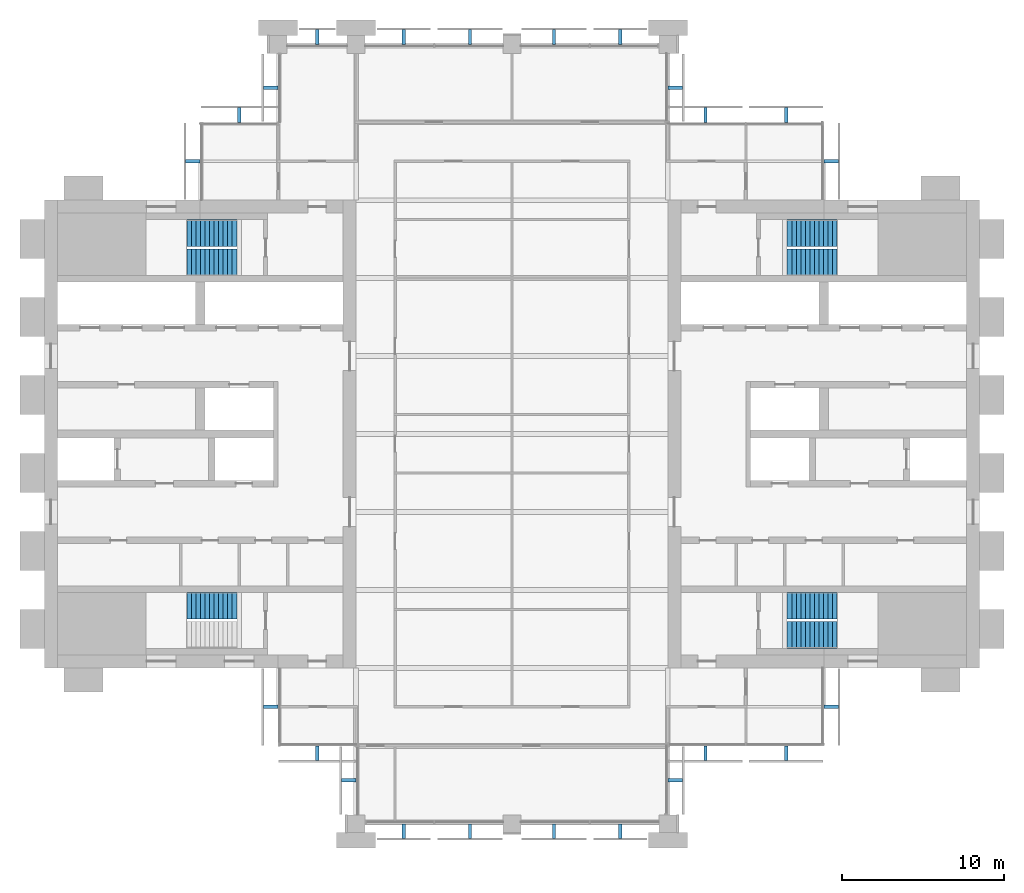
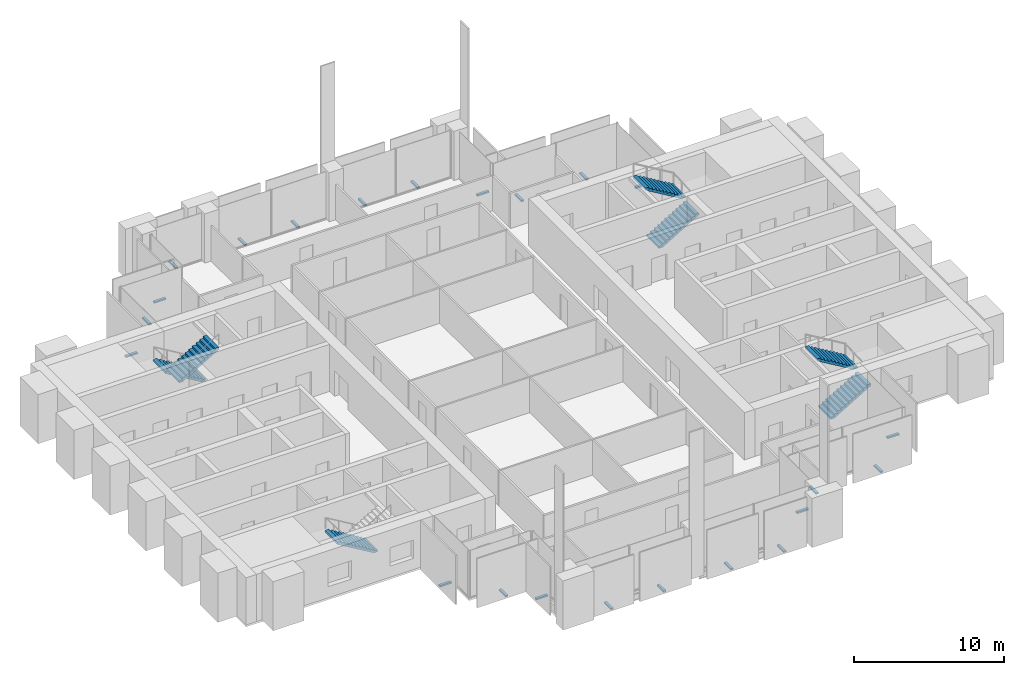
# One storey, part 12 of 13: 23 discrete accessories, 7 stair flights, 4 elements without a shape of their own.
"""IFC4 building model written with IfcOpenShell, lengths in metres."""

from ifc_helpers import new_model, si_unit, direction, frame, origin, origin_2d, place, context, subcontext, project, spatial, polyline, rectangle, outline, extrude, material, type_object, element, aggregate, save


model = new_model("IFC4")

# Units and contexts
model_context = context("Model", 3, precision=1e-05, world=origin(), true_north=direction((0.0, 1.0)))
body_context = subcontext(model_context, "Body", "Model", "MODEL_VIEW")
ifc_project = project(units=[si_unit("LENGTHUNIT", "METRE"), si_unit("AREAUNIT", "SQUARE_METRE"), si_unit("VOLUMEUNIT", "CUBIC_METRE"), si_unit("PLANEANGLEUNIT", "RADIAN"), si_unit("MASSUNIT", "GRAM", prefix="KILO")], contexts=[model_context])

# Site, building, storey
site_placement = place(None, origin())
site = spatial("IfcSite", under=ifc_project, at=site_placement, CompositionType="ELEMENT")
building_placement = place(site_placement, origin())
building = spatial("IfcBuilding", under=site, at=building_placement, Name="Baori Bourse Tower", CompositionType="ELEMENT")
storey_placement = place(building_placement, frame((0.0, 0.0, 225.199951171875)))
storey = spatial("IfcBuildingStorey", under=building, at=storey_placement, Name="L49", CompositionType="ELEMENT", Elevation=225.199951171875)

# Stair, stair flight
ifc_material_1 = material(Name="Concrete f'c 50 MPa", Category="concrete")
stair_type = type_object("IfcStairType", Name="Core stair", PredefinedType="HALF_TURN_STAIR", material=ifc_material_1)
stair_1_placement = place(storey_placement, origin())
stair_1 = element("IfcStair", 1, at=stair_1_placement, inside=storey, type_object=stair_type, Name="L49 Stair WA", PredefinedType="HALF_TURN_STAIR")
ifc_material_2 = material(Name="Concrete f'c 50 MPa", Category="concrete")
stair_flight_type = type_object("IfcStairFlightType", Name="Core stair flight", PredefinedType="STRAIGHT", material=ifc_material_2)
stair_flight_1_placement = place(storey_placement, frame((11.85009765625, 13.425048828125, 0.0), z_axis=(0.0, 0.0, 1.0), x_axis=(-1.0, 0.0, 0.0)))
stair_flight_1 = element("IfcStairFlight", 2, at=stair_flight_1_placement, type_object=stair_flight_type, Name="ST1 flight 1", NumberOfRisers=12, NumberOfTreads=11, PredefinedType="STRAIGHT", RiserHeight=0.166666667, TreadLength=0.28, context=body_context, shape_type="SweptSolid", body=[
    extrude(outline(polyline([(0.0, 0.0), (0.0, 0.166748046875), (0.280029296875, 0.166748046875), (0.280029296875, 0.333251953125), (0.56005859375, 0.333251953125), (0.56005859375, 0.5), (0.840087890625, 0.5), (0.840087890625, 0.666748046875), (1.1201171875, 0.666748046875), (1.1201171875, 0.833251953125), (1.39990234375, 0.833251953125), (1.39990234375, 1.0), (1.679931640625, 1.0), (1.679931640625, 1.166748046875), (1.9599609375, 1.166748046875), (1.9599609375, 1.333251953125), (2.239990234375, 1.333251953125), (2.239990234375, 1.5), (2.52001953125, 1.5), (2.52001953125, 1.666748046875), (2.800048828125, 1.666748046875), (2.800048828125, 1.833251953125), (3.080078125, 1.833251953125), (3.080078125, 2.0), (3.080078125, 1.658935546875), (0.29296875, 0.0), (0.0, 0.0)])), frame((0.0, 0.824951171875, 0.0), z_axis=(0.0, -1.0, 0.0), x_axis=(1.0, 0.0, 0.0)), (0.0, 0.0, 1.0), 1.64990234375),
])
aggregate(stair_1, [stair_flight_1])

# Stair, stair flights
stair_2_placement = place(storey_placement, origin())
stair_2 = element("IfcStair", 3, at=stair_2_placement, inside=storey, type_object=stair_type, Name="L49 Stair WB", PredefinedType="HALF_TURN_STAIR")
stair_flight_2_placement = place(storey_placement, frame((11.85009765625, 36.375, 0.0), z_axis=(0.0, 0.0, 1.0), x_axis=(-1.0, 0.0, 0.0)))
stair_flight_2 = element("IfcStairFlight", 4, at=stair_flight_2_placement, type_object=stair_flight_type, Name="ST2 flight 1", NumberOfRisers=12, NumberOfTreads=11, PredefinedType="STRAIGHT", RiserHeight=0.166666667, TreadLength=0.28, context=body_context, shape_type="SweptSolid", body=[
    extrude(outline(polyline([(0.0, 0.0), (0.0, 0.166748046875), (0.280029296875, 0.166748046875), (0.280029296875, 0.333251953125), (0.56005859375, 0.333251953125), (0.56005859375, 0.5), (0.840087890625, 0.5), (0.840087890625, 0.666748046875), (1.1201171875, 0.666748046875), (1.1201171875, 0.833251953125), (1.39990234375, 0.833251953125), (1.39990234375, 1.0), (1.679931640625, 1.0), (1.679931640625, 1.166748046875), (1.9599609375, 1.166748046875), (1.9599609375, 1.333251953125), (2.239990234375, 1.333251953125), (2.239990234375, 1.5), (2.52001953125, 1.5), (2.52001953125, 1.666748046875), (2.800048828125, 1.666748046875), (2.800048828125, 1.833251953125), (3.080078125, 1.833251953125), (3.080078125, 2.0), (3.080078125, 1.658935546875), (0.29296875, 0.0), (0.0, 0.0)])), frame((0.0, 0.824951171875, 0.0), z_axis=(0.0, -1.0, 0.0), x_axis=(1.0, 0.0, 0.0)), (0.0, 0.0, 1.0), 1.64990234375),
])
stair_flight_3_placement = place(storey_placement, frame((8.77001953125, 34.574951171875, 2.0), z_axis=(0.0, 0.0, 1.0), x_axis=(1.0, 0.0, 0.0)))
stair_flight_3 = element("IfcStairFlight", 5, at=stair_flight_3_placement, type_object=stair_flight_type, Name="ST2 flight 2", NumberOfRisers=12, NumberOfTreads=11, PredefinedType="STRAIGHT", RiserHeight=0.166666667, TreadLength=0.28, context=body_context, shape_type="SweptSolid", body=[
    extrude(outline(polyline([(0.0, 0.0), (0.0, 0.166748046875), (0.280029296875, 0.166748046875), (0.280029296875, 0.333251953125), (0.56005859375, 0.333251953125), (0.56005859375, 0.5), (0.840087890625, 0.5), (0.840087890625, 0.666748046875), (1.1201171875, 0.666748046875), (1.1201171875, 0.833251953125), (1.39990234375, 0.833251953125), (1.39990234375, 1.0), (1.679931640625, 1.0), (1.679931640625, 1.166748046875), (1.9599609375, 1.166748046875), (1.9599609375, 1.333251953125), (2.239990234375, 1.333251953125), (2.239990234375, 1.5), (2.52001953125, 1.5), (2.52001953125, 1.666748046875), (2.800048828125, 1.666748046875), (2.800048828125, 1.833251953125), (3.080078125, 1.833251953125), (3.080078125, 2.0), (3.080078125, 1.658935546875), (0.29296875, 0.0), (0.0, 0.0)])), frame((0.0, 0.824951171875, 0.0), z_axis=(0.0, -1.0, 0.0), x_axis=(1.0, 0.0, 0.0)), (0.0, 0.0, 1.0), 1.64990234375),
])
aggregate(stair_2, [stair_flight_2, stair_flight_3])

stair_3_placement = place(storey_placement, origin())
stair_3 = element("IfcStair", 6, at=stair_3_placement, inside=storey, type_object=stair_type, Name="L49 Stair EA", PredefinedType="HALF_TURN_STAIR")
stair_flight_4_placement = place(storey_placement, frame((45.75, 11.625, 0.0), z_axis=(0.0, 0.0, 1.0), x_axis=(1.0, 0.0, 0.0)))
stair_flight_4 = element("IfcStairFlight", 7, at=stair_flight_4_placement, type_object=stair_flight_type, Name="ST3 flight 1", NumberOfRisers=12, NumberOfTreads=11, PredefinedType="STRAIGHT", RiserHeight=0.166666667, TreadLength=0.28, context=body_context, shape_type="SweptSolid", body=[
    extrude(outline(polyline([(0.0, 0.0), (0.0, 0.166748046875), (0.280029296875, 0.166748046875), (0.280029296875, 0.333251953125), (0.56005859375, 0.333251953125), (0.56005859375, 0.5), (0.840087890625, 0.5), (0.840087890625, 0.666748046875), (1.1201171875, 0.666748046875), (1.1201171875, 0.833251953125), (1.39990234375, 0.833251953125), (1.39990234375, 1.0), (1.679931640625, 1.0), (1.679931640625, 1.166748046875), (1.9599609375, 1.166748046875), (1.9599609375, 1.333251953125), (2.239990234375, 1.333251953125), (2.239990234375, 1.5), (2.52001953125, 1.5), (2.52001953125, 1.666748046875), (2.800048828125, 1.666748046875), (2.800048828125, 1.833251953125), (3.080078125, 1.833251953125), (3.080078125, 2.0), (3.080078125, 1.658935546875), (0.29296875, 0.0), (0.0, 0.0)])), frame((0.0, 0.824951171875, 0.0), z_axis=(0.0, -1.0, 0.0), x_axis=(1.0, 0.0, 0.0)), (0.0, 0.0, 1.0), 1.64990234375),
])
stair_flight_5_placement = place(storey_placement, frame((48.830078125, 13.425048828125, 2.0), z_axis=(0.0, 0.0, 1.0), x_axis=(-1.0, 0.0, 0.0)))
stair_flight_5 = element("IfcStairFlight", 8, at=stair_flight_5_placement, type_object=stair_flight_type, Name="ST3 flight 2", NumberOfRisers=12, NumberOfTreads=11, PredefinedType="STRAIGHT", RiserHeight=0.166666667, TreadLength=0.28, context=body_context, shape_type="SweptSolid", body=[
    extrude(outline(polyline([(0.0, 0.0), (0.0, 0.166748046875), (0.280029296875, 0.166748046875), (0.280029296875, 0.333251953125), (0.56005859375, 0.333251953125), (0.56005859375, 0.5), (0.840087890625, 0.5), (0.840087890625, 0.666748046875), (1.1201171875, 0.666748046875), (1.1201171875, 0.833251953125), (1.39990234375, 0.833251953125), (1.39990234375, 1.0), (1.679931640625, 1.0), (1.679931640625, 1.166748046875), (1.9599609375, 1.166748046875), (1.9599609375, 1.333251953125), (2.239990234375, 1.333251953125), (2.239990234375, 1.5), (2.52001953125, 1.5), (2.52001953125, 1.666748046875), (2.800048828125, 1.666748046875), (2.800048828125, 1.833251953125), (3.080078125, 1.833251953125), (3.080078125, 2.0), (3.080078125, 1.658935546875), (0.29296875, 0.0), (0.0, 0.0)])), frame((0.0, 0.824951171875, 0.0), z_axis=(0.0, -1.0, 0.0), x_axis=(1.0, 0.0, 0.0)), (0.0, 0.0, 1.0), 1.64990234375),
])
aggregate(stair_3, [stair_flight_4, stair_flight_5])

stair_4_placement = place(storey_placement, origin())
stair_4 = element("IfcStair", 9, at=stair_4_placement, inside=storey, type_object=stair_type, Name="L49 Stair EB", PredefinedType="HALF_TURN_STAIR")
stair_flight_6_placement = place(storey_placement, frame((45.75, 34.574951171875, 0.0), z_axis=(0.0, 0.0, 1.0), x_axis=(1.0, 0.0, 0.0)))
stair_flight_6 = element("IfcStairFlight", 10, at=stair_flight_6_placement, type_object=stair_flight_type, Name="ST4 flight 1", NumberOfRisers=12, NumberOfTreads=11, PredefinedType="STRAIGHT", RiserHeight=0.166666667, TreadLength=0.28, context=body_context, shape_type="SweptSolid", body=[
    extrude(outline(polyline([(0.0, 0.0), (0.0, 0.166748046875), (0.280029296875, 0.166748046875), (0.280029296875, 0.333251953125), (0.56005859375, 0.333251953125), (0.56005859375, 0.5), (0.840087890625, 0.5), (0.840087890625, 0.666748046875), (1.1201171875, 0.666748046875), (1.1201171875, 0.833251953125), (1.39990234375, 0.833251953125), (1.39990234375, 1.0), (1.679931640625, 1.0), (1.679931640625, 1.166748046875), (1.9599609375, 1.166748046875), (1.9599609375, 1.333251953125), (2.239990234375, 1.333251953125), (2.239990234375, 1.5), (2.52001953125, 1.5), (2.52001953125, 1.666748046875), (2.800048828125, 1.666748046875), (2.800048828125, 1.833251953125), (3.080078125, 1.833251953125), (3.080078125, 2.0), (3.080078125, 1.658935546875), (0.29296875, 0.0), (0.0, 0.0)])), frame((0.0, 0.824951171875, 0.0), z_axis=(0.0, -1.0, 0.0), x_axis=(1.0, 0.0, 0.0)), (0.0, 0.0, 1.0), 1.64990234375),
])
stair_flight_7_placement = place(storey_placement, frame((48.830078125, 36.375, 2.0), z_axis=(0.0, 0.0, 1.0), x_axis=(-1.0, 0.0, 0.0)))
stair_flight_7 = element("IfcStairFlight", 11, at=stair_flight_7_placement, type_object=stair_flight_type, Name="ST4 flight 2", NumberOfRisers=12, NumberOfTreads=11, PredefinedType="STRAIGHT", RiserHeight=0.166666667, TreadLength=0.28, context=body_context, shape_type="SweptSolid", body=[
    extrude(outline(polyline([(0.0, 0.0), (0.0, 0.166748046875), (0.280029296875, 0.166748046875), (0.280029296875, 0.333251953125), (0.56005859375, 0.333251953125), (0.56005859375, 0.5), (0.840087890625, 0.5), (0.840087890625, 0.666748046875), (1.1201171875, 0.666748046875), (1.1201171875, 0.833251953125), (1.39990234375, 0.833251953125), (1.39990234375, 1.0), (1.679931640625, 1.0), (1.679931640625, 1.166748046875), (1.9599609375, 1.166748046875), (1.9599609375, 1.333251953125), (2.239990234375, 1.333251953125), (2.239990234375, 1.5), (2.52001953125, 1.5), (2.52001953125, 1.666748046875), (2.800048828125, 1.666748046875), (2.800048828125, 1.833251953125), (3.080078125, 1.833251953125), (3.080078125, 2.0), (3.080078125, 1.658935546875), (0.29296875, 0.0), (0.0, 0.0)])), frame((0.0, 0.824951171875, 0.0), z_axis=(0.0, -1.0, 0.0), x_axis=(1.0, 0.0, 0.0)), (0.0, 0.0, 1.0), 1.64990234375),
])
aggregate(stair_4, [stair_flight_6, stair_flight_7])

# Discrete accessories
ifc_material_3 = material(Name="Pale anodised aluminium", Category="aluminium")
discrete_accessory_type = type_object("IfcDiscreteAccessoryType", Name="OS2 Outer skin bracket", PredefinedType="BRACKET", material=ifc_material_3)
for number, where, z_axis, x_axis, name in (
    (12, (48.449951171875, 40.800048828125, -0.143798828125), (0.0, 0.0, 1.0), (0.0, 1.0, 0.0), "Outer skin bracket L49 1"),
    (13, (45.6875, 43.64990234375, -0.143798828125), (0.0, 0.0, 1.0), (-1.0, 0.0, 0.0), "Outer skin bracket L49 2"),
    (14, (40.71240234375, 43.64990234375, -0.143798828125), (0.0, 0.0, 1.0), (-1.0, 0.0, 0.0), "Outer skin bracket L49 3"),
    (15, (38.85009765625, 45.324951171875, -0.143798828125), (0.0, 0.0, 1.0), (0.0, 1.0, 0.0), "Outer skin bracket L49 4"),
    (16, (35.46240234375, 48.449951171875, -0.143798828125), (0.0, 0.0, 1.0), (-1.0, 0.0, 0.0), "Outer skin bracket L49 5"),
    (17, (31.387451171875, 48.449951171875, -0.143798828125), (0.0, 0.0, 1.0), (-1.0, 0.0, 0.0), "Outer skin bracket L49 6"),
    (18, (26.21240234375, 48.449951171875, -0.143798828125), (0.0, 0.0, 1.0), (-1.0, 0.0, 0.0), "Outer skin bracket L49 7"),
    (19, (22.137451171875, 48.449951171875, -0.143798828125), (0.0, 0.0, 1.0), (-1.0, 0.0, 0.0), "Outer skin bracket L49 8"),
    (20, (16.800048828125, 48.449951171875, -0.143798828125), (0.0, 0.0, 1.0), (-1.0, 0.0, 0.0), "Outer skin bracket L49 9"),
    (21, (13.949951171875, 45.324951171875, -0.143798828125), (0.0, 0.0, 1.0), (0.0, -1.0, 0.0), "Outer skin bracket L49 10"),
    (22, (12.0, 43.64990234375, -0.143798828125), (0.0, 0.0, 1.0), (-1.0, 0.0, 0.0), "Outer skin bracket L49 11"),
    (23, (9.14990234375, 40.800048828125, -0.143798828125), (0.0, 0.0, 1.0), (0.0, -1.0, 0.0), "Outer skin bracket L49 12"),
    (24, (13.949951171875, 7.199951171875, -0.143798828125), (0.0, 0.0, 1.0), (0.0, -1.0, 0.0), "Outer skin bracket L49 13"),
    (25, (16.800048828125, 4.35009765625, -0.143798828125), (0.0, 0.0, 1.0), (1.0, 0.0, 0.0), "Outer skin bracket L49 14"),
    (26, (18.75, 2.675048828125, -0.143798828125), (0.0, 0.0, 1.0), (0.0, -1.0, 0.0), "Outer skin bracket L49 15"),
    (27, (22.137451171875, -0.449951171875, -0.143798828125), (0.0, 0.0, 1.0), (1.0, 0.0, 0.0), "Outer skin bracket L49 16"),
    (28, (26.21240234375, -0.449951171875, -0.143798828125), (0.0, 0.0, 1.0), (1.0, 0.0, 0.0), "Outer skin bracket L49 17"),
    (29, (31.387451171875, -0.449951171875, -0.143798828125), (0.0, 0.0, 1.0), (1.0, 0.0, 0.0), "Outer skin bracket L49 18"),
    (30, (35.46240234375, -0.449951171875, -0.143798828125), (0.0, 0.0, 1.0), (1.0, 0.0, 0.0), "Outer skin bracket L49 19"),
    (31, (38.85009765625, 2.675048828125, -0.143798828125), (0.0, 0.0, 1.0), (0.0, 1.0, 0.0), "Outer skin bracket L49 20"),
    (32, (40.71240234375, 4.35009765625, -0.143798828125), (0.0, 0.0, 1.0), (1.0, 0.0, 0.0), "Outer skin bracket L49 21"),
    (33, (45.6875, 4.35009765625, -0.143798828125), (0.0, 0.0, 1.0), (1.0, 0.0, 0.0), "Outer skin bracket L49 22"),
    (34, (48.449951171875, 7.199951171875, -0.143798828125), (0.0, 0.0, 1.0), (0.0, 1.0, 0.0), "Outer skin bracket L49 23"),
):
    element("IfcDiscreteAccessory", number, at=place(storey_placement, frame(where, z_axis=z_axis, x_axis=x_axis)), inside=storey, type_object=discrete_accessory_type, Name=name, PredefinedType="BRACKET", context=body_context, shape_type="SweptSolid", body=[
        extrude(rectangle(XDim=0.199951171875, YDim=0.89990234375, at=origin_2d()), origin(), (0.0, 0.0, 1.0), 0.1279296875),
    ])

save(model, "model.ifc")
